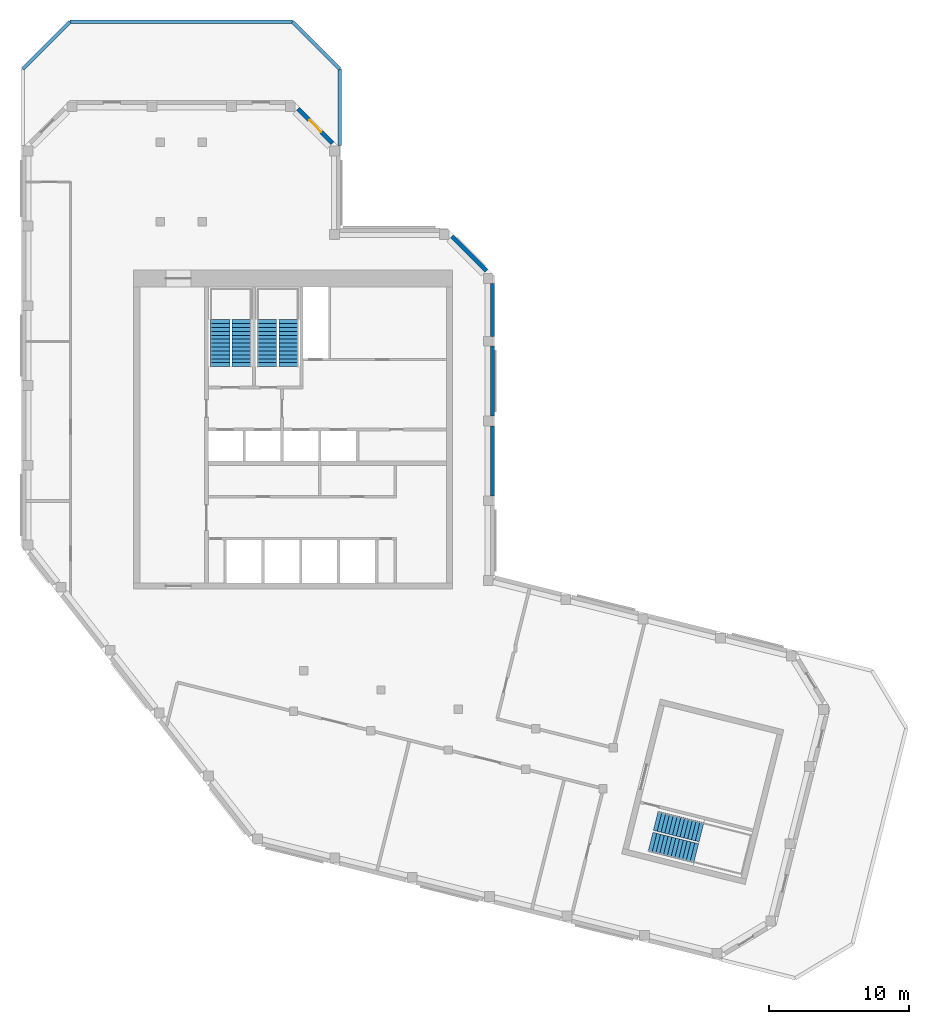
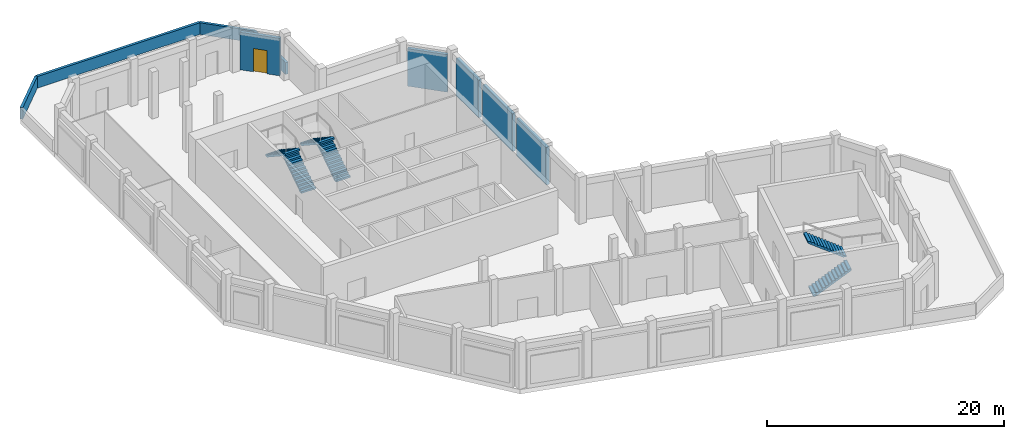
# One storey, part 5 of 6: 9 walls, 6 stair flights, 1 door, 1 opening, 3 elements without a shape of their own.
"""IFC4 building model written with IfcOpenShell, lengths in metres."""

from ifc_helpers import new_model, si_unit, direction, frame, frame_2d, origin, place, context, subcontext, project, spatial, polyline, rectangle, outline, extrude, material, layer, layer_set, type_object, element, fill, aggregate, save


model = new_model("IFC4")

# Units and contexts
model_context = context("Model", 3, precision=1e-05, world=origin(), true_north=direction((0.0, 1.0)))
body_context = subcontext(model_context, "Body", "Model", "MODEL_VIEW")
ifc_project = project(units=[si_unit("LENGTHUNIT", "METRE"), si_unit("AREAUNIT", "SQUARE_METRE"), si_unit("VOLUMEUNIT", "CUBIC_METRE"), si_unit("PLANEANGLEUNIT", "RADIAN"), si_unit("MASSUNIT", "GRAM", prefix="KILO")], contexts=[model_context])

# Site, building, storey
site_placement = place(None, origin())
site = spatial("IfcSite", under=ifc_project, at=site_placement, CompositionType="ELEMENT")
building_placement = place(site_placement, origin())
building = spatial("IfcBuilding", under=site, at=building_placement, Name="Meshkara Civic Tower", CompositionType="ELEMENT")
storey_placement = place(building_placement, frame((0.0, 0.0, 400.199951171875)))
storey = spatial("IfcBuildingStorey", under=building, at=storey_placement, Name="L92 Crown", CompositionType="ELEMENT", Elevation=400.199951171875)

# Walls
ifc_material_1 = material(Name="Insulated infill panel with bronze anodised aluminium cladding", Category="aluminium")
ifc_layer_1 = layer(ifc_material_1, 0.300048828125)
ifc_layer_set_1 = layer_set([ifc_layer_1], Name="CROWN WALL 300")
wall_type_1 = type_object("IfcWallType", Name="CROWN WALL 300", PredefinedType="SOLIDWALL", material=ifc_layer_set_1)
for number, where, z_axis, x_axis, name in (
    (1, (33.64990234375, 20.76904296875, 0.0), (0.0, 0.0, 1.0), (0.0, 1.0, 0.0), "Crown external wall"),
    (2, (33.64990234375, 26.468994140625, 0.0), (0.0, 0.0, 1.0), (0.0, 1.0, 0.0), "Crown external wall"),
):
    element("IfcWall", number, at=place(storey_placement, frame(where, z_axis=z_axis, x_axis=x_axis)), inside=storey, type_object=wall_type_1, Name=name, PredefinedType="SOLIDWALL", context=body_context, shape_type="SweptSolid", body=[
        extrude(rectangle(XDim=5.0, YDim=0.300048828125, at=frame_2d((2.5, 0.0))), origin(), (0.0, 0.0, 1.0), 3.85009765625),
    ])
wall_1_placement = place(storey_placement, frame((33.64990234375, 32.1689453125, 0.0), z_axis=(0.0, 0.0, 1.0), x_axis=(0.0, 1.0, 0.0)))
element("IfcWall", 3, at=wall_1_placement, inside=storey, type_object=wall_type_1, Name="Crown external wall", PredefinedType="SOLIDWALL", context=body_context, shape_type="SweptSolid", body=[
    extrude(rectangle(XDim=3.775146484375, YDim=0.300048828125, at=frame_2d((1.8876953125, 0.0))), origin(), (0.0, 0.0, 1.0), 3.85009765625),
])
wall_2_placement = place(storey_placement, frame((33.2119140625, 36.85595703125, 0.0), z_axis=(0.0, 0.0, 1.0), x_axis=(-0.707071634094, 0.707141926532, 0.0)))
element("IfcWall", 4, at=wall_2_placement, inside=storey, type_object=wall_type_1, Name="Crown external wall", PredefinedType="SOLIDWALL", context=body_context, shape_type="SweptSolid", body=[
    extrude(rectangle(XDim=3.47314453125, YDim=0.300048828125, at=frame_2d((1.736572265625, 0.0))), origin(), (0.0, 0.0, 1.0), 3.85009765625),
])

# Wall, opening, door
wall_3_placement = place(storey_placement, frame((22.2119140625, 45.97607421875, 0.0), z_axis=(0.0, 0.0, 1.0), x_axis=(-0.707106781187, 0.707106781187, 0.0)))
wall_3 = element("IfcWall", 5, at=wall_3_placement, inside=storey, type_object=wall_type_1, Name="Crown external wall", PredefinedType="SOLIDWALL", context=body_context, shape_type="SweptSolid", body=[
    extrude(rectangle(XDim=3.47314453125, YDim=0.300048828125, at=frame_2d((1.736572265625, 0.0))), origin(), (0.0, 0.0, 1.0), 3.85009765625),
])
opening_placement = place(wall_3_placement, frame((1.136962890625, 0.0, 0.0)))
opening = element("IfcOpeningElement", 6, at=opening_placement, cuts=wall_3, Name="Opening L92 Crown-L001", PredefinedType="OPENING", context=body_context, shape_type="SweptSolid", body=[
    extrude(rectangle(XDim=1.199951171875, YDim=2.39990234375, at=frame_2d((0.60009765625, 1.199951171875))), frame((0.0, 0.159912109375, 0.0), z_axis=(0.0, -1.0, 0.0), x_axis=(1.0, 0.0, 0.0)), (0.0, 0.0, 1.0), 0.320068359375),
])
ifc_material_2 = material(Name="Steel S355", Category="steel")
door_type = type_object("IfcDoorType", Name="ROOF ACCESS DOOR 1200x2400", OperationType="SINGLE_SWING_LEFT", PredefinedType="DOOR", material=ifc_material_2)
door_placement = place(opening_placement, origin())
door = element("IfcDoor", 7, at=door_placement, inside=storey, type_object=door_type, Name="L92 Crown-L001", OperationType="SINGLE_SWING_LEFT", OverallHeight=2.39990234375, OverallWidth=1.199951171875, PredefinedType="DOOR", context=body_context, shape_type="SweptSolid", body=[
    extrude(rectangle(XDim=1.199951171875, YDim=2.39990234375, at=frame_2d((0.60009765625, 1.199951171875))), frame((0.0, 0.02490234375, 0.0), z_axis=(0.0, -1.0, 0.0), x_axis=(1.0, 0.0, 0.0)), (0.0, 0.0, 1.0), 0.050048828125),
])
fill(opening, door)

# Walls
ifc_material_3 = material(Name="Concrete C40", Category="concrete")
ifc_layer_2 = layer(ifc_material_3, 0.25)
ifc_layer_set_2 = layer_set([ifc_layer_2], Name="ROOF PARAPET 250")
wall_type_2 = type_object("IfcWallType", Name="ROOF PARAPET 250", PredefinedType="PARAPET", material=ifc_layer_set_2)
wall_4_placement = place(storey_placement, frame((0.070068359375, 51.27099609375, 0.0), z_axis=(0.0, 0.0, 1.0), x_axis=(0.707106781187, 0.707106781187, 0.0)))
element("IfcWall", 8, at=wall_4_placement, inside=storey, type_object=wall_type_2, Name="Roof parapet", PredefinedType="PARAPET", context=body_context, shape_type="SweptSolid", body=[
    extrude(rectangle(XDim=4.778564453125, YDim=0.25, at=frame_2d((2.38916015625, 0.0))), origin(), (0.0, 0.0, 1.0), 1.199951171875),
])
wall_5_placement = place(storey_placement, frame((3.448974609375, 54.64990234375, 0.0), z_axis=(0.0, 0.0, 1.0), x_axis=(1.0, 0.0, 0.0)))
element("IfcWall", 9, at=wall_5_placement, inside=storey, type_object=wall_type_2, Name="Roof parapet", PredefinedType="PARAPET", context=body_context, shape_type="SweptSolid", body=[
    extrude(rectangle(XDim=15.902099609375, YDim=0.25, at=frame_2d((7.951171875, 0.0))), origin(), (0.0, 0.0, 1.0), 1.199951171875),
])
wall_6_placement = place(storey_placement, frame((19.35107421875, 54.64990234375, 0.0), z_axis=(0.0, 0.0, 1.0), x_axis=(0.707106781187, -0.707106781187, 0.0)))
element("IfcWall", 10, at=wall_6_placement, inside=storey, type_object=wall_type_2, Name="Roof parapet", PredefinedType="PARAPET", context=body_context, shape_type="SweptSolid", body=[
    extrude(rectangle(XDim=4.778564453125, YDim=0.25, at=frame_2d((2.38916015625, 0.0))), origin(), (0.0, 0.0, 1.0), 1.199951171875),
])
wall_7_placement = place(storey_placement, frame((22.72998046875, 51.27099609375, 0.0), z_axis=(0.0, 0.0, 1.0), x_axis=(0.0, -1.0, 0.0)))
element("IfcWall", 11, at=wall_7_placement, inside=storey, type_object=wall_type_2, Name="Roof parapet", PredefinedType="PARAPET", context=body_context, shape_type="SweptSolid", body=[
    extrude(rectangle(XDim=5.4599609375, YDim=0.25, at=frame_2d((2.72998046875, 0.0))), origin(), (0.0, 0.0, 1.0), 1.199951171875),
])

# Stair, stair flights
ifc_material_4 = material(Name="Precast concrete C40/50", Category="concrete")
stair_type = type_object("IfcStairType", Name="Exit stair half-turn 26 risers precast", PredefinedType="HALF_TURN_STAIR", material=ifc_material_4)
stair_1_placement = place(storey_placement, origin())
stair_1 = element("IfcStair", 12, at=stair_1_placement, inside=storey, type_object=stair_type, Name="L92 Crown exit stair 1", PredefinedType="HALF_TURN_STAIR")
ifc_material_5 = material(Name="Precast concrete C40/50", Category="concrete")
stair_flight_type = type_object("IfcStairFlightType", Name="Exit stair flight 13 risers precast", PredefinedType="STRAIGHT", material=ifc_material_5)
stair_flight_1_placement = place(storey_placement, frame((15.72509765625, 30.0, 0.0), z_axis=(0.0, 0.0, 1.0), x_axis=(0.0, 1.0, 0.0)))
stair_flight_1 = element("IfcStairFlight", 13, at=stair_flight_1_placement, type_object=stair_flight_type, Name="ST1 flight 1", NumberOfRisers=13, NumberOfTreads=12, PredefinedType="STRAIGHT", RiserHeight=0.184615385, TreadLength=0.28, context=body_context, shape_type="SweptSolid", body=[
    extrude(outline(polyline([(0.0, 0.0), (0.0, 0.1845703125), (0.280029296875, 0.1845703125), (0.280029296875, 0.369140625), (0.56005859375, 0.369140625), (0.56005859375, 0.553955078125), (0.840087890625, 0.553955078125), (0.840087890625, 0.738525390625), (1.1201171875, 0.738525390625), (1.1201171875, 0.923095703125), (1.39990234375, 0.923095703125), (1.39990234375, 1.107666015625), (1.679931640625, 1.107666015625), (1.679931640625, 1.292236328125), (1.9599609375, 1.292236328125), (1.9599609375, 1.476806640625), (2.239990234375, 1.476806640625), (2.239990234375, 1.66162109375), (2.52001953125, 1.66162109375), (2.52001953125, 1.84619140625), (2.800048828125, 1.84619140625), (2.800048828125, 2.03076171875), (3.080078125, 2.03076171875), (3.080078125, 2.21533203125), (3.360107421875, 2.21533203125), (3.360107421875, 2.39990234375), (3.360107421875, 2.035888671875), (0.272216796875, 0.0), (0.0, 0.0)])), frame((0.0, 0.699951171875, 0.0), z_axis=(0.0, -1.0, 0.0), x_axis=(1.0, 0.0, 0.0)), (0.0, 0.0, 1.0), 1.39990234375),
])
stair_flight_2_placement = place(storey_placement, frame((14.175048828125, 33.360107421875, 2.400146484375), z_axis=(0.0, 0.0, 1.0), x_axis=(0.0, -1.0, 0.0)))
stair_flight_2 = element("IfcStairFlight", 14, at=stair_flight_2_placement, type_object=stair_flight_type, Name="ST1 flight 2", NumberOfRisers=13, NumberOfTreads=12, PredefinedType="STRAIGHT", RiserHeight=0.184615385, TreadLength=0.28, context=body_context, shape_type="SweptSolid", body=[
    extrude(outline(polyline([(0.0, 0.0), (0.0, 0.1845703125), (0.280029296875, 0.1845703125), (0.280029296875, 0.369140625), (0.56005859375, 0.369140625), (0.56005859375, 0.553955078125), (0.840087890625, 0.553955078125), (0.840087890625, 0.738525390625), (1.1201171875, 0.738525390625), (1.1201171875, 0.923095703125), (1.39990234375, 0.923095703125), (1.39990234375, 1.107666015625), (1.679931640625, 1.107666015625), (1.679931640625, 1.292236328125), (1.9599609375, 1.292236328125), (1.9599609375, 1.476806640625), (2.239990234375, 1.476806640625), (2.239990234375, 1.66162109375), (2.52001953125, 1.66162109375), (2.52001953125, 1.84619140625), (2.800048828125, 1.84619140625), (2.800048828125, 2.03076171875), (3.080078125, 2.03076171875), (3.080078125, 2.21533203125), (3.360107421875, 2.21533203125), (3.360107421875, 2.39990234375), (3.360107421875, 2.035888671875), (0.272216796875, 0.0), (0.0, 0.0)])), frame((0.0, 0.699951171875, 0.0), z_axis=(0.0, -1.0, 0.0), x_axis=(1.0, 0.0, 0.0)), (0.0, 0.0, 1.0), 1.39990234375),
])
aggregate(stair_1, [stair_flight_1, stair_flight_2])

stair_2_placement = place(storey_placement, origin())
stair_2 = element("IfcStair", 15, at=stair_2_placement, inside=storey, type_object=stair_type, Name="L92 Crown exit stair 2", PredefinedType="HALF_TURN_STAIR")
stair_flight_3_placement = place(storey_placement, frame((19.074951171875, 30.0, 0.0), z_axis=(0.0, 0.0, 1.0), x_axis=(0.0, 1.0, 0.0)))
stair_flight_3 = element("IfcStairFlight", 16, at=stair_flight_3_placement, type_object=stair_flight_type, Name="ST2 flight 1", NumberOfRisers=13, NumberOfTreads=12, PredefinedType="STRAIGHT", RiserHeight=0.184615385, TreadLength=0.28, context=body_context, shape_type="SweptSolid", body=[
    extrude(outline(polyline([(0.0, 0.0), (0.0, 0.1845703125), (0.280029296875, 0.1845703125), (0.280029296875, 0.369140625), (0.56005859375, 0.369140625), (0.56005859375, 0.553955078125), (0.840087890625, 0.553955078125), (0.840087890625, 0.738525390625), (1.1201171875, 0.738525390625), (1.1201171875, 0.923095703125), (1.39990234375, 0.923095703125), (1.39990234375, 1.107666015625), (1.679931640625, 1.107666015625), (1.679931640625, 1.292236328125), (1.9599609375, 1.292236328125), (1.9599609375, 1.476806640625), (2.239990234375, 1.476806640625), (2.239990234375, 1.66162109375), (2.52001953125, 1.66162109375), (2.52001953125, 1.84619140625), (2.800048828125, 1.84619140625), (2.800048828125, 2.03076171875), (3.080078125, 2.03076171875), (3.080078125, 2.21533203125), (3.360107421875, 2.21533203125), (3.360107421875, 2.39990234375), (3.360107421875, 2.035888671875), (0.272216796875, 0.0), (0.0, 0.0)])), frame((0.0, 0.699951171875, 0.0), z_axis=(0.0, -1.0, 0.0), x_axis=(1.0, 0.0, 0.0)), (0.0, 0.0, 1.0), 1.39990234375),
])
stair_flight_4_placement = place(storey_placement, frame((17.52490234375, 33.360107421875, 2.400146484375), z_axis=(0.0, 0.0, 1.0), x_axis=(0.0, -1.0, 0.0)))
stair_flight_4 = element("IfcStairFlight", 17, at=stair_flight_4_placement, type_object=stair_flight_type, Name="ST2 flight 2", NumberOfRisers=13, NumberOfTreads=12, PredefinedType="STRAIGHT", RiserHeight=0.184615385, TreadLength=0.28, context=body_context, shape_type="SweptSolid", body=[
    extrude(outline(polyline([(0.0, 0.0), (0.0, 0.1845703125), (0.280029296875, 0.1845703125), (0.280029296875, 0.369140625), (0.56005859375, 0.369140625), (0.56005859375, 0.553955078125), (0.840087890625, 0.553955078125), (0.840087890625, 0.738525390625), (1.1201171875, 0.738525390625), (1.1201171875, 0.923095703125), (1.39990234375, 0.923095703125), (1.39990234375, 1.107666015625), (1.679931640625, 1.107666015625), (1.679931640625, 1.292236328125), (1.9599609375, 1.292236328125), (1.9599609375, 1.476806640625), (2.239990234375, 1.476806640625), (2.239990234375, 1.66162109375), (2.52001953125, 1.66162109375), (2.52001953125, 1.84619140625), (2.800048828125, 1.84619140625), (2.800048828125, 2.03076171875), (3.080078125, 2.03076171875), (3.080078125, 2.21533203125), (3.360107421875, 2.21533203125), (3.360107421875, 2.39990234375), (3.360107421875, 2.035888671875), (0.272216796875, 0.0), (0.0, 0.0)])), frame((0.0, 0.699951171875, 0.0), z_axis=(0.0, -1.0, 0.0), x_axis=(1.0, 0.0, 0.0)), (0.0, 0.0, 1.0), 1.39990234375),
])
aggregate(stair_2, [stair_flight_3, stair_flight_4])

stair_3_placement = place(storey_placement, origin())
stair_3 = element("IfcStair", 18, at=stair_3_placement, inside=storey, type_object=stair_type, Name="L92 Crown exit stair B from L92 Crown", PredefinedType="HALF_TURN_STAIR")
stair_flight_5_placement = place(storey_placement, frame((44.94580078125, -3.9658203125, 0.0), z_axis=(0.0, 0.0, 1.0), x_axis=(0.970260066579, -0.242064873955, 0.0)))
stair_flight_5 = element("IfcStairFlight", 19, at=stair_flight_5_placement, type_object=stair_flight_type, Name="ESB7 flight 1", NumberOfRisers=13, NumberOfTreads=12, PredefinedType="STRAIGHT", RiserHeight=0.184615385, TreadLength=0.28, context=body_context, shape_type="SweptSolid", body=[
    extrude(outline(polyline([(0.0, 0.0), (0.0, 0.1845703125), (0.280029296875, 0.1845703125), (0.280029296875, 0.369140625), (0.56005859375, 0.369140625), (0.56005859375, 0.553955078125), (0.840087890625, 0.553955078125), (0.840087890625, 0.738525390625), (1.1201171875, 0.738525390625), (1.1201171875, 0.923095703125), (1.39990234375, 0.923095703125), (1.39990234375, 1.107666015625), (1.679931640625, 1.107666015625), (1.679931640625, 1.292236328125), (1.9599609375, 1.292236328125), (1.9599609375, 1.476806640625), (2.239990234375, 1.476806640625), (2.239990234375, 1.66162109375), (2.52001953125, 1.66162109375), (2.52001953125, 1.84619140625), (2.800048828125, 1.84619140625), (2.800048828125, 2.03076171875), (3.080078125, 2.03076171875), (3.080078125, 2.21533203125), (3.360107421875, 2.21533203125), (3.360107421875, 2.39990234375), (3.360107421875, 2.035888671875), (0.272216796875, 0.0), (0.0, 0.0)])), frame((0.0, 0.699951171875, 0.0), z_axis=(0.0, -1.0, 0.0), x_axis=(1.0, 0.0, 0.0)), (0.0, 0.0, 1.0), 1.39990234375),
])
stair_flight_6_placement = place(storey_placement, frame((48.5810546875, -3.275390625, 2.400146484375), z_axis=(0.0, 0.0, 1.0), x_axis=(-0.970260066579, 0.242064873955, 0.0)))
stair_flight_6 = element("IfcStairFlight", 20, at=stair_flight_6_placement, type_object=stair_flight_type, Name="ESB7 flight 2", NumberOfRisers=13, NumberOfTreads=12, PredefinedType="STRAIGHT", RiserHeight=0.184615385, TreadLength=0.28, context=body_context, shape_type="SweptSolid", body=[
    extrude(outline(polyline([(0.0, 0.0), (0.0, 0.1845703125), (0.280029296875, 0.1845703125), (0.280029296875, 0.369140625), (0.56005859375, 0.369140625), (0.56005859375, 0.553955078125), (0.840087890625, 0.553955078125), (0.840087890625, 0.738525390625), (1.1201171875, 0.738525390625), (1.1201171875, 0.923095703125), (1.39990234375, 0.923095703125), (1.39990234375, 1.107666015625), (1.679931640625, 1.107666015625), (1.679931640625, 1.292236328125), (1.9599609375, 1.292236328125), (1.9599609375, 1.476806640625), (2.239990234375, 1.476806640625), (2.239990234375, 1.66162109375), (2.52001953125, 1.66162109375), (2.52001953125, 1.84619140625), (2.800048828125, 1.84619140625), (2.800048828125, 2.03076171875), (3.080078125, 2.03076171875), (3.080078125, 2.21533203125), (3.360107421875, 2.21533203125), (3.360107421875, 2.39990234375), (3.360107421875, 2.035888671875), (0.272216796875, 0.0), (0.0, 0.0)])), frame((0.0, 0.699951171875, 0.0), z_axis=(0.0, -1.0, 0.0), x_axis=(1.0, 0.0, 0.0)), (0.0, 0.0, 1.0), 1.39990234375),
])
aggregate(stair_3, [stair_flight_5, stair_flight_6])

save(model, "model.ifc")
